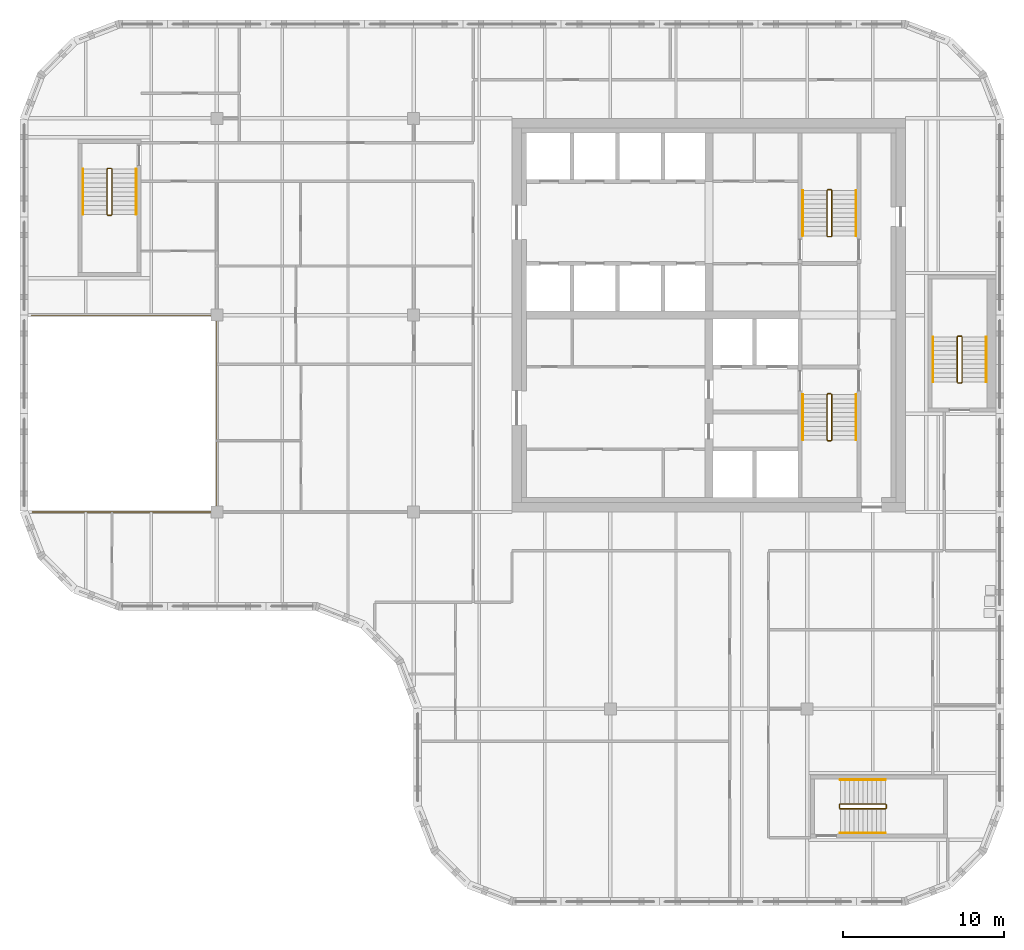
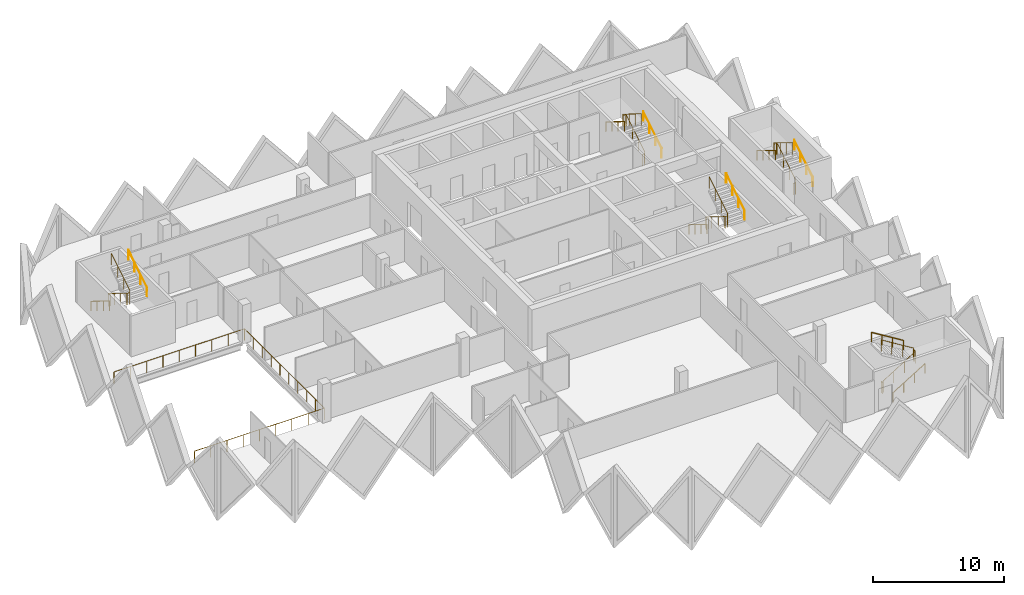
# One storey, part 11 of 12: 16 railings.
"""IFC4 building model written with IfcOpenShell, lengths in metres."""

from ifc_helpers import new_model, si_unit, direction, frame, origin, origin_2d, place, context, subcontext, project, spatial, circle, extrude, material, type_object, element, save


model = new_model("IFC4")

# Units and contexts
model_context = context("Model", 3, precision=1e-05, world=origin(), true_north=direction((0.0, 1.0)))
body_context = subcontext(model_context, "Body", "Model", "MODEL_VIEW")
ifc_project = project(units=[si_unit("LENGTHUNIT", "METRE"), si_unit("AREAUNIT", "SQUARE_METRE"), si_unit("VOLUMEUNIT", "CUBIC_METRE"), si_unit("PLANEANGLEUNIT", "RADIAN"), si_unit("MASSUNIT", "GRAM", prefix="KILO")], contexts=[model_context])

# Site, building, storey
site_placement = place(None, origin())
site = spatial("IfcSite", under=ifc_project, at=site_placement, CompositionType="ELEMENT")
building_placement = place(site_placement, origin())
building = spatial("IfcBuilding", under=site, at=building_placement, Name="Tessera Gate Towers", CompositionType="ELEMENT")
storey_placement = place(building_placement, frame((0.0, 0.0, 178.199951171875)))
storey = spatial("IfcBuildingStorey", under=building, at=storey_placement, Name="L44", CompositionType="ELEMENT", Elevation=178.199951171875)

# Railings
ifc_material_1 = material(Name="Toughened glass with stainless steel handrail", Category="steel")
railing_type_1 = type_object("IfcRailingType", Name="GUARD 1100 GLASS BALUSTRADE", PredefinedType="GUARDRAIL", material=ifc_material_1)
railing_1_placement = place(storey_placement, frame((0.750244140625, 24.39990234375, 0.0)))
element("IfcRailing", 1, at=railing_1_placement, inside=storey, type_object=railing_type_1, Name="Guard", PredefinedType="GUARDRAIL", context=body_context, shape_type="SweptSolid", body=[
    extrude(circle(Radius=0.02490234375, at=origin_2d()), frame((0.0, 0.0, 1.0751953125), z_axis=(1.0, 0.0, 0.0), x_axis=(0.0, 1.0, 0.0)), (0.0, 0.0, 1.0), 11.44970703125),
    extrude(circle(Radius=0.02490234375, at=origin_2d()), frame((11.44970703125, 0.0, 1.0751953125), z_axis=(0.0, 1.0, 0.0), x_axis=(-1.0, 0.0, 0.0)), (0.0, 0.0, 1.0), 12.2001953125),
    extrude(circle(Radius=0.02490234375, at=origin_2d()), frame((11.44970703125, 12.2001953125, 1.0751953125), z_axis=(-1.0, 0.0, 0.0), x_axis=(0.0, -1.0, 0.0)), (0.0, 0.0, 1.0), 11.5),
    extrude(circle(Radius=0.02490234375, at=origin_2d()), origin(), (0.0, 0.0, 1.0), 1.050048828125),
    extrude(circle(Radius=0.02490234375, at=origin_2d()), frame((1.43115234375, 0.0, 0.0)), (0.0, 0.0, 1.0), 1.050048828125),
    extrude(circle(Radius=0.02490234375, at=origin_2d()), frame((2.8623046875, 0.0, 0.0)), (0.0, 0.0, 1.0), 1.050048828125),
    extrude(circle(Radius=0.02490234375, at=origin_2d()), frame((4.293701171875, 0.0, 0.0)), (0.0, 0.0, 1.0), 1.050048828125),
    extrude(circle(Radius=0.02490234375, at=origin_2d()), frame((5.724853515625, 0.0, 0.0)), (0.0, 0.0, 1.0), 1.050048828125),
    extrude(circle(Radius=0.02490234375, at=origin_2d()), frame((7.156005859375, 0.0, 0.0)), (0.0, 0.0, 1.0), 1.050048828125),
    extrude(circle(Radius=0.02490234375, at=origin_2d()), frame((8.58740234375, 0.0, 0.0)), (0.0, 0.0, 1.0), 1.050048828125),
    extrude(circle(Radius=0.02490234375, at=origin_2d()), frame((10.0185546875, 0.0, 0.0)), (0.0, 0.0, 1.0), 1.050048828125),
    extrude(circle(Radius=0.02490234375, at=origin_2d()), frame((11.44970703125, 0.0, 0.0)), (0.0, 0.0, 1.0), 1.050048828125),
    extrude(circle(Radius=0.02490234375, at=origin_2d()), frame((11.44970703125, 1.35546875, 0.0)), (0.0, 0.0, 1.0), 1.050048828125),
    extrude(circle(Radius=0.02490234375, at=origin_2d()), frame((11.44970703125, 2.711181640625, 0.0)), (0.0, 0.0, 1.0), 1.050048828125),
    extrude(circle(Radius=0.02490234375, at=origin_2d()), frame((11.44970703125, 4.066650390625, 0.0)), (0.0, 0.0, 1.0), 1.050048828125),
    extrude(circle(Radius=0.02490234375, at=origin_2d()), frame((11.44970703125, 5.42236328125, 0.0)), (0.0, 0.0, 1.0), 1.050048828125),
    extrude(circle(Radius=0.02490234375, at=origin_2d()), frame((11.44970703125, 6.77783203125, 0.0)), (0.0, 0.0, 1.0), 1.050048828125),
    extrude(circle(Radius=0.02490234375, at=origin_2d()), frame((11.44970703125, 8.133544921875, 0.0)), (0.0, 0.0, 1.0), 1.050048828125),
    extrude(circle(Radius=0.02490234375, at=origin_2d()), frame((11.44970703125, 9.489013671875, 0.0)), (0.0, 0.0, 1.0), 1.050048828125),
    extrude(circle(Radius=0.02490234375, at=origin_2d()), frame((11.44970703125, 10.8447265625, 0.0)), (0.0, 0.0, 1.0), 1.050048828125),
    extrude(circle(Radius=0.02490234375, at=origin_2d()), frame((11.44970703125, 12.2001953125, 0.0)), (0.0, 0.0, 1.0), 1.050048828125),
    extrude(circle(Radius=0.02490234375, at=origin_2d()), frame((10.01220703125, 12.2001953125, 0.0)), (0.0, 0.0, 1.0), 1.050048828125),
    extrude(circle(Radius=0.02490234375, at=origin_2d()), frame((8.57470703125, 12.2001953125, 0.0)), (0.0, 0.0, 1.0), 1.050048828125),
    extrude(circle(Radius=0.02490234375, at=origin_2d()), frame((7.13720703125, 12.2001953125, 0.0)), (0.0, 0.0, 1.0), 1.050048828125),
    extrude(circle(Radius=0.02490234375, at=origin_2d()), frame((5.69970703125, 12.2001953125, 0.0)), (0.0, 0.0, 1.0), 1.050048828125),
    extrude(circle(Radius=0.02490234375, at=origin_2d()), frame((4.26220703125, 12.2001953125, 0.0)), (0.0, 0.0, 1.0), 1.050048828125),
    extrude(circle(Radius=0.02490234375, at=origin_2d()), frame((2.82470703125, 12.2001953125, 0.0)), (0.0, 0.0, 1.0), 1.050048828125),
    extrude(circle(Radius=0.02490234375, at=origin_2d()), frame((1.38720703125, 12.2001953125, 0.0)), (0.0, 0.0, 1.0), 1.050048828125),
    extrude(circle(Radius=0.02490234375, at=origin_2d()), frame((-0.05029296875, 12.2001953125, 0.0)), (0.0, 0.0, 1.0), 1.050048828125),
])
ifc_material_2 = material(Name="Steel 350W", Category="steel")
railing_type_2 = type_object("IfcRailingType", Name="STAIR GUARD 1100", PredefinedType="GUARDRAIL", material=ifc_material_2)
railing_2_placement = place(storey_placement, frame((50.27490234375, 31.72509765625, 0.0)))
element("IfcRailing", 2, at=railing_2_placement, inside=storey, type_object=railing_type_2, Name="L44 ST1 stair guard 1", PredefinedType="GUARDRAIL", context=body_context, shape_type="SweptSolid", body=[
    extrude(circle(Radius=0.02392578125, at=origin_2d()), frame((0.0, 0.0, 1.076171875), z_axis=(-1.0, 0.0, 0.0), x_axis=(0.0, -1.0, 0.0)), (0.0, 0.0, 1.0), 0.199951171875),
    extrude(circle(Radius=0.02392578125, at=origin_2d()), frame((-0.199951171875, 0.0, 1.076171875), z_axis=(-0.267953482034, -0.267953482034, 0.925419830635), x_axis=(0.707106781187, -0.707106781187, 0.0)), (0.0, 0.0, 1.0), 0.186767578125),
    extrude(circle(Radius=0.02392578125, at=origin_2d()), frame((-0.25, -0.050048828125, 1.2490234375), z_axis=(0.0, -0.851089632645, 0.525020415988), x_axis=(1.0, 0.0, 0.0)), (0.0, 0.0, 1.0), 3.2900390625),
    extrude(circle(Radius=0.02392578125, at=origin_2d()), frame((-0.25, -2.85009765625, 2.97607421875), z_axis=(0.707106781187, -0.707106781187, 0.0), x_axis=(0.707106781187, 0.707106781187, 0.0)), (0.0, 0.0, 1.0), 0.07080078125),
    extrude(circle(Radius=0.02392578125, at=origin_2d()), frame((-0.199951171875, -2.900146484375, 2.97607421875), z_axis=(1.0, 0.0, 0.0), x_axis=(0.0, 1.0, 0.0)), (0.0, 0.0, 1.0), 0.199951171875),
    extrude(circle(Radius=0.02392578125, at=origin_2d()), frame((0.0, -2.900146484375, 2.97607421875), z_axis=(0.268277960024, 0.268277960024, 0.925231793839), x_axis=(-0.707106781187, 0.707106781187, 0.0)), (0.0, 0.0, 1.0), 0.1865234375),
    extrude(circle(Radius=0.02392578125, at=origin_2d()), frame((0.050048828125, -2.85009765625, 3.14892578125), z_axis=(0.0, 0.851089632645, 0.525020415988), x_axis=(-1.0, 0.0, 0.0)), (0.0, 0.0, 1.0), 3.2900390625),
    extrude(circle(Radius=0.02099609375, at=origin_2d()), origin(), (0.0, 0.0, 1.0), 1.052001953125),
    extrude(circle(Radius=0.02099609375, at=origin_2d()), frame((-0.199951171875, 0.0, 0.0)), (0.0, 0.0, 1.0), 1.052001953125),
    extrude(circle(Radius=0.02099609375, at=origin_2d()), frame((-0.25, -0.050048828125, 0.1728515625)), (0.0, 0.0, 1.0), 1.052001953125),
    extrude(circle(Radius=0.02099609375, at=origin_2d()), frame((-0.25, -0.9833984375, 0.74853515625)), (0.0, 0.0, 1.0), 1.052001953125),
    extrude(circle(Radius=0.02099609375, at=origin_2d()), frame((-0.25, -1.916748046875, 1.324462890625)), (0.0, 0.0, 1.0), 1.052001953125),
    extrude(circle(Radius=0.02099609375, at=origin_2d()), frame((-0.25, -2.85009765625, 1.900146484375)), (0.0, 0.0, 1.0), 1.052001953125),
    extrude(circle(Radius=0.02099609375, at=origin_2d()), frame((-0.199951171875, -2.900146484375, 1.900146484375)), (0.0, 0.0, 1.0), 1.052001953125),
    extrude(circle(Radius=0.02099609375, at=origin_2d()), frame((0.0, -2.900146484375, 1.900146484375)), (0.0, 0.0, 1.0), 1.052001953125),
    extrude(circle(Radius=0.02099609375, at=origin_2d()), frame((0.050048828125, -2.85009765625, 2.07275390625)), (0.0, 0.0, 1.0), 1.052001953125),
    extrude(circle(Radius=0.02099609375, at=origin_2d()), frame((0.050048828125, -1.916748046875, 2.6484375)), (0.0, 0.0, 1.0), 1.052001953125),
    extrude(circle(Radius=0.02099609375, at=origin_2d()), frame((0.050048828125, -0.9833984375, 3.224365234375)), (0.0, 0.0, 1.0), 1.052001953125),
    extrude(circle(Radius=0.02099609375, at=origin_2d()), frame((0.050048828125, -0.050048828125, 3.800048828125)), (0.0, 0.0, 1.0), 1.052001953125),
])
railing_3_placement = place(storey_placement, frame((50.074951171875, 41.47509765625, 0.0)))
element("IfcRailing", 3, at=railing_3_placement, inside=storey, type_object=railing_type_2, Name="L44 ST2 stair guard 1", PredefinedType="GUARDRAIL", context=body_context, shape_type="SweptSolid", body=[
    extrude(circle(Radius=0.02392578125, at=origin_2d()), frame((0.0, 0.0, 1.076171875), z_axis=(1.0, 0.0, 0.0), x_axis=(0.0, 1.0, 0.0)), (0.0, 0.0, 1.0), 0.199951171875),
    extrude(circle(Radius=0.02392578125, at=origin_2d()), frame((0.199951171875, 0.0, 1.076171875), z_axis=(0.268047150085, 0.266739603011, 0.925743328097), x_axis=(-0.705375805398, 0.708833529934, 0.0)), (0.0, 0.0, 1.0), 0.186767578125),
    extrude(circle(Radius=0.02392578125, at=origin_2d()), frame((0.25, 0.0498046875, 1.2490234375), z_axis=(0.0, 0.851089632645, 0.525020415988), x_axis=(-1.0, 0.0, 0.0)), (0.0, 0.0, 1.0), 3.2900390625),
    extrude(circle(Radius=0.02392578125, at=origin_2d()), frame((0.25, 2.849853515625, 2.97607421875), z_axis=(-0.707106781187, 0.707106781187, 0.0), x_axis=(-0.707106781187, -0.707106781187, 0.0)), (0.0, 0.0, 1.0), 0.07080078125),
    extrude(circle(Radius=0.02392578125, at=origin_2d()), frame((0.199951171875, 2.89990234375, 2.97607421875), z_axis=(-1.0, 0.0, 0.0), x_axis=(0.0, -1.0, 0.0)), (0.0, 0.0, 1.0), 0.199951171875),
    extrude(circle(Radius=0.02392578125, at=origin_2d()), frame((0.0, 2.89990234375, 2.97607421875), z_axis=(-0.268277960024, -0.268277960024, 0.925231793839), x_axis=(0.707106781187, -0.707106781187, 0.0)), (0.0, 0.0, 1.0), 0.1865234375),
    extrude(circle(Radius=0.02392578125, at=origin_2d()), frame((-0.050048828125, 2.849853515625, 3.14892578125), z_axis=(0.0, -0.851089632645, 0.525020415988), x_axis=(1.0, 0.0, 0.0)), (0.0, 0.0, 1.0), 3.2900390625),
    extrude(circle(Radius=0.02099609375, at=origin_2d()), origin(), (0.0, 0.0, 1.0), 1.052001953125),
    extrude(circle(Radius=0.02099609375, at=origin_2d()), frame((0.199951171875, 0.0, 0.0)), (0.0, 0.0, 1.0), 1.052001953125),
    extrude(circle(Radius=0.02099609375, at=origin_2d()), frame((0.25, 0.0498046875, 0.1728515625)), (0.0, 0.0, 1.0), 1.052001953125),
    extrude(circle(Radius=0.02099609375, at=origin_2d()), frame((0.25, 0.983154296875, 0.74853515625)), (0.0, 0.0, 1.0), 1.052001953125),
    extrude(circle(Radius=0.02099609375, at=origin_2d()), frame((0.25, 1.91650390625, 1.324462890625)), (0.0, 0.0, 1.0), 1.052001953125),
    extrude(circle(Radius=0.02099609375, at=origin_2d()), frame((0.25, 2.849853515625, 1.900146484375)), (0.0, 0.0, 1.0), 1.052001953125),
    extrude(circle(Radius=0.02099609375, at=origin_2d()), frame((0.199951171875, 2.89990234375, 1.900146484375)), (0.0, 0.0, 1.0), 1.052001953125),
    extrude(circle(Radius=0.02099609375, at=origin_2d()), frame((0.0, 2.89990234375, 1.900146484375)), (0.0, 0.0, 1.0), 1.052001953125),
    extrude(circle(Radius=0.02099609375, at=origin_2d()), frame((-0.050048828125, 2.849853515625, 2.07275390625)), (0.0, 0.0, 1.0), 1.052001953125),
    extrude(circle(Radius=0.02099609375, at=origin_2d()), frame((-0.050048828125, 1.91650390625, 2.6484375)), (0.0, 0.0, 1.0), 1.052001953125),
    extrude(circle(Radius=0.02099609375, at=origin_2d()), frame((-0.050048828125, 0.983154296875, 3.224365234375)), (0.0, 0.0, 1.0), 1.052001953125),
    extrude(circle(Radius=0.02099609375, at=origin_2d()), frame((-0.050048828125, 0.0498046875, 3.800048828125)), (0.0, 0.0, 1.0), 1.052001953125),
])
railing_4_placement = place(storey_placement, frame((5.64990234375, 45.699951171875, 0.0)))
element("IfcRailing", 4, at=railing_4_placement, inside=storey, type_object=railing_type_2, Name="L44 ST3 stair guard 1", PredefinedType="GUARDRAIL", context=body_context, shape_type="SweptSolid", body=[
    extrude(circle(Radius=0.02392578125, at=origin_2d()), frame((0.0, 0.0, 1.076171875), z_axis=(-1.0, 0.0, 0.0), x_axis=(0.0, -1.0, 0.0)), (0.0, 0.0, 1.0), 0.199951171875),
    extrude(circle(Radius=0.02392578125, at=origin_2d()), frame((-0.199951171875, 0.0, 1.076171875), z_axis=(-0.267953482034, -0.267953482034, 0.925419830635), x_axis=(0.707106781187, -0.707106781187, 0.0)), (0.0, 0.0, 1.0), 0.186767578125),
    extrude(circle(Radius=0.02392578125, at=origin_2d()), frame((-0.25, -0.050048828125, 1.2490234375), z_axis=(0.0, -0.851069175582, 0.525053576669), x_axis=(1.0, 0.0, 0.0)), (0.0, 0.0, 1.0), 3.289794921875),
    extrude(circle(Radius=0.02392578125, at=origin_2d()), frame((-0.25, -2.849853515625, 2.97607421875), z_axis=(0.707106781187, -0.707106781187, 0.0), x_axis=(0.707106781187, 0.707106781187, 0.0)), (0.0, 0.0, 1.0), 0.07080078125),
    extrude(circle(Radius=0.02392578125, at=origin_2d()), frame((-0.199951171875, -2.89990234375, 2.97607421875), z_axis=(1.0, 0.0, 0.0), x_axis=(0.0, 1.0, 0.0)), (0.0, 0.0, 1.0), 0.199951171875),
    extrude(circle(Radius=0.02392578125, at=origin_2d()), frame((0.0, -2.89990234375, 2.97607421875), z_axis=(0.268277960024, 0.268277960024, 0.925231793839), x_axis=(-0.707106781187, 0.707106781187, 0.0)), (0.0, 0.0, 1.0), 0.1865234375),
    extrude(circle(Radius=0.02392578125, at=origin_2d()), frame((0.050048828125, -2.849853515625, 3.14892578125), z_axis=(0.0, 0.851069175582, 0.525053576669), x_axis=(-1.0, 0.0, 0.0)), (0.0, 0.0, 1.0), 3.289794921875),
    extrude(circle(Radius=0.02099609375, at=origin_2d()), origin(), (0.0, 0.0, 1.0), 1.052001953125),
    extrude(circle(Radius=0.02099609375, at=origin_2d()), frame((-0.199951171875, 0.0, 0.0)), (0.0, 0.0, 1.0), 1.052001953125),
    extrude(circle(Radius=0.02099609375, at=origin_2d()), frame((-0.25, -0.050048828125, 0.1728515625)), (0.0, 0.0, 1.0), 1.052001953125),
    extrude(circle(Radius=0.02099609375, at=origin_2d()), frame((-0.25, -0.9833984375, 0.74853515625)), (0.0, 0.0, 1.0), 1.052001953125),
    extrude(circle(Radius=0.02099609375, at=origin_2d()), frame((-0.25, -1.91650390625, 1.324462890625)), (0.0, 0.0, 1.0), 1.052001953125),
    extrude(circle(Radius=0.02099609375, at=origin_2d()), frame((-0.25, -2.849853515625, 1.900146484375)), (0.0, 0.0, 1.0), 1.052001953125),
    extrude(circle(Radius=0.02099609375, at=origin_2d()), frame((-0.199951171875, -2.89990234375, 1.900146484375)), (0.0, 0.0, 1.0), 1.052001953125),
    extrude(circle(Radius=0.02099609375, at=origin_2d()), frame((0.0, -2.89990234375, 1.900146484375)), (0.0, 0.0, 1.0), 1.052001953125),
    extrude(circle(Radius=0.02099609375, at=origin_2d()), frame((0.050048828125, -2.849853515625, 2.07275390625)), (0.0, 0.0, 1.0), 1.052001953125),
    extrude(circle(Radius=0.02099609375, at=origin_2d()), frame((0.050048828125, -1.91650390625, 2.6484375)), (0.0, 0.0, 1.0), 1.052001953125),
    extrude(circle(Radius=0.02099609375, at=origin_2d()), frame((0.050048828125, -0.9833984375, 3.224365234375)), (0.0, 0.0, 1.0), 1.052001953125),
    extrude(circle(Radius=0.02099609375, at=origin_2d()), frame((0.050048828125, -0.050048828125, 3.800048828125)), (0.0, 0.0, 1.0), 1.052001953125),
])
railing_5_placement = place(storey_placement, frame((50.800048828125, 6.25, 0.0)))
element("IfcRailing", 5, at=railing_5_placement, inside=storey, type_object=railing_type_2, Name="L44 ST4 stair guard 1", PredefinedType="GUARDRAIL", context=body_context, shape_type="SweptSolid", body=[
    extrude(circle(Radius=0.02392578125, at=origin_2d()), frame((0.0, 0.0, 1.076171875), z_axis=(0.0, -1.0, 0.0), x_axis=(1.0, 0.0, 0.0)), (0.0, 0.0, 1.0), 0.199951171875),
    extrude(circle(Radius=0.02392578125, at=origin_2d()), frame((0.0, -0.199951171875, 1.076171875), z_axis=(0.267953482034, -0.267953482034, 0.925419830635), x_axis=(0.707106781187, 0.707106781187, 0.0)), (0.0, 0.0, 1.0), 0.186767578125),
    extrude(circle(Radius=0.02392578125, at=origin_2d()), frame((0.050048828125, -0.25, 1.2490234375), z_axis=(0.851069175582, 0.0, 0.525053576669), x_axis=(0.0, 1.0, 0.0)), (0.0, 0.0, 1.0), 3.289794921875),
    extrude(circle(Radius=0.02392578125, at=origin_2d()), frame((2.849853515625, -0.25, 2.97607421875), z_axis=(0.707106781187, 0.707106781187, 0.0), x_axis=(-0.707106781187, 0.707106781187, 0.0)), (0.0, 0.0, 1.0), 0.07080078125),
    extrude(circle(Radius=0.02392578125, at=origin_2d()), frame((2.89990234375, -0.199951171875, 2.97607421875), z_axis=(0.0, 1.0, 0.0), x_axis=(-1.0, 0.0, 0.0)), (0.0, 0.0, 1.0), 0.199951171875),
    extrude(circle(Radius=0.02392578125, at=origin_2d()), frame((2.89990234375, 0.0, 2.97607421875), z_axis=(-0.268277960024, 0.268277960024, 0.925231793839), x_axis=(-0.707106781187, -0.707106781187, 0.0)), (0.0, 0.0, 1.0), 0.1865234375),
    extrude(circle(Radius=0.02392578125, at=origin_2d()), frame((2.849853515625, 0.050048828125, 3.14892578125), z_axis=(-0.851069175582, 0.0, 0.525053576669), x_axis=(0.0, -1.0, 0.0)), (0.0, 0.0, 1.0), 3.289794921875),
    extrude(circle(Radius=0.02099609375, at=origin_2d()), origin(), (0.0, 0.0, 1.0), 1.052001953125),
    extrude(circle(Radius=0.02099609375, at=origin_2d()), frame((0.0, -0.199951171875, 0.0)), (0.0, 0.0, 1.0), 1.052001953125),
    extrude(circle(Radius=0.02099609375, at=origin_2d()), frame((0.050048828125, -0.25, 0.1728515625)), (0.0, 0.0, 1.0), 1.052001953125),
    extrude(circle(Radius=0.02099609375, at=origin_2d()), frame((0.9833984375, -0.25, 0.74853515625)), (0.0, 0.0, 1.0), 1.052001953125),
    extrude(circle(Radius=0.02099609375, at=origin_2d()), frame((1.91650390625, -0.25, 1.324462890625)), (0.0, 0.0, 1.0), 1.052001953125),
    extrude(circle(Radius=0.02099609375, at=origin_2d()), frame((2.849853515625, -0.25, 1.900146484375)), (0.0, 0.0, 1.0), 1.052001953125),
    extrude(circle(Radius=0.02099609375, at=origin_2d()), frame((2.89990234375, -0.199951171875, 1.900146484375)), (0.0, 0.0, 1.0), 1.052001953125),
    extrude(circle(Radius=0.02099609375, at=origin_2d()), frame((2.89990234375, 0.0, 1.900146484375)), (0.0, 0.0, 1.0), 1.052001953125),
    extrude(circle(Radius=0.02099609375, at=origin_2d()), frame((2.849853515625, 0.050048828125, 2.07275390625)), (0.0, 0.0, 1.0), 1.052001953125),
    extrude(circle(Radius=0.02099609375, at=origin_2d()), frame((1.91650390625, 0.050048828125, 2.6484375)), (0.0, 0.0, 1.0), 1.052001953125),
    extrude(circle(Radius=0.02099609375, at=origin_2d()), frame((0.9833984375, 0.050048828125, 3.224365234375)), (0.0, 0.0, 1.0), 1.052001953125),
    extrude(circle(Radius=0.02099609375, at=origin_2d()), frame((0.050048828125, 0.050048828125, 3.800048828125)), (0.0, 0.0, 1.0), 1.052001953125),
])
railing_6_placement = place(storey_placement, frame((58.14990234375, 32.39990234375, 0.0)))
element("IfcRailing", 6, at=railing_6_placement, inside=storey, type_object=railing_type_2, Name="L44 ST5 stair guard 1", PredefinedType="GUARDRAIL", context=body_context, shape_type="SweptSolid", body=[
    extrude(circle(Radius=0.02392578125, at=origin_2d()), frame((0.0, 0.0, 1.076171875), z_axis=(1.0, 0.0, 0.0), x_axis=(0.0, 1.0, 0.0)), (0.0, 0.0, 1.0), 0.2001953125),
    extrude(circle(Radius=0.02392578125, at=origin_2d()), frame((0.2001953125, 0.0, 1.076171875), z_axis=(0.266739603011, 0.268047150085, 0.925743328097), x_axis=(-0.708833529934, 0.705375805398, 0.0)), (0.0, 0.0, 1.0), 0.186767578125),
    extrude(circle(Radius=0.02392578125, at=origin_2d()), frame((0.25, 0.050048828125, 1.2490234375), z_axis=(0.0, 0.851089632645, 0.525020415988), x_axis=(-1.0, 0.0, 0.0)), (0.0, 0.0, 1.0), 3.2900390625),
    extrude(circle(Radius=0.02392578125, at=origin_2d()), frame((0.25, 2.85009765625, 2.97607421875), z_axis=(-0.705375805398, 0.708833529934, 0.0), x_axis=(-0.708833529934, -0.705375805398, 0.0)), (0.0, 0.0, 1.0), 0.070556640625),
    extrude(circle(Radius=0.02392578125, at=origin_2d()), frame((0.2001953125, 2.900146484375, 2.97607421875), z_axis=(-1.0, 0.0, 0.0), x_axis=(0.0, -1.0, 0.0)), (0.0, 0.0, 1.0), 0.2001953125),
    extrude(circle(Radius=0.02392578125, at=origin_2d()), frame((0.0, 2.900146484375, 2.97607421875), z_axis=(-0.267062837333, -0.268371968888, 0.925556009775), x_axis=(0.708833529934, -0.705375805398, 0.0)), (0.0, 0.0, 1.0), 0.1865234375),
    extrude(circle(Radius=0.02392578125, at=origin_2d()), frame((-0.0498046875, 2.85009765625, 3.14892578125), z_axis=(0.0, -0.851089632645, 0.525020415988), x_axis=(1.0, 0.0, 0.0)), (0.0, 0.0, 1.0), 3.2900390625),
    extrude(circle(Radius=0.02099609375, at=origin_2d()), origin(), (0.0, 0.0, 1.0), 1.052001953125),
    extrude(circle(Radius=0.02099609375, at=origin_2d()), frame((0.2001953125, 0.0, 0.0)), (0.0, 0.0, 1.0), 1.052001953125),
    extrude(circle(Radius=0.02099609375, at=origin_2d()), frame((0.25, 0.050048828125, 0.1728515625)), (0.0, 0.0, 1.0), 1.052001953125),
    extrude(circle(Radius=0.02099609375, at=origin_2d()), frame((0.25, 0.9833984375, 0.74853515625)), (0.0, 0.0, 1.0), 1.052001953125),
    extrude(circle(Radius=0.02099609375, at=origin_2d()), frame((0.25, 1.916748046875, 1.324462890625)), (0.0, 0.0, 1.0), 1.052001953125),
    extrude(circle(Radius=0.02099609375, at=origin_2d()), frame((0.25, 2.85009765625, 1.900146484375)), (0.0, 0.0, 1.0), 1.052001953125),
    extrude(circle(Radius=0.02099609375, at=origin_2d()), frame((0.2001953125, 2.900146484375, 1.900146484375)), (0.0, 0.0, 1.0), 1.052001953125),
    extrude(circle(Radius=0.02099609375, at=origin_2d()), frame((0.0, 2.900146484375, 1.900146484375)), (0.0, 0.0, 1.0), 1.052001953125),
    extrude(circle(Radius=0.02099609375, at=origin_2d()), frame((-0.0498046875, 2.85009765625, 2.07275390625)), (0.0, 0.0, 1.0), 1.052001953125),
    extrude(circle(Radius=0.02099609375, at=origin_2d()), frame((-0.0498046875, 1.916748046875, 2.6484375)), (0.0, 0.0, 1.0), 1.052001953125),
    extrude(circle(Radius=0.02099609375, at=origin_2d()), frame((-0.0498046875, 0.9833984375, 3.224365234375)), (0.0, 0.0, 1.0), 1.052001953125),
    extrude(circle(Radius=0.02099609375, at=origin_2d()), frame((-0.0498046875, 0.050048828125, 3.800048828125)), (0.0, 0.0, 1.0), 1.052001953125),
])
ifc_material_3 = material(Name="Steel 350W", Category="steel")
railing_type_3 = type_object("IfcRailingType", Name="STAIR HANDRAIL 900", PredefinedType="HANDRAIL", material=ifc_material_3)
railing_7_placement = place(storey_placement, frame((48.52490234375, 31.675048828125, 0.1728515625)))
element("IfcRailing", 7, at=railing_7_placement, inside=storey, type_object=railing_type_3, Name="L44 ST1 stair handrail 1", PredefinedType="HANDRAIL", context=body_context, shape_type="SweptSolid", body=[
    extrude(circle(Radius=0.02392578125, at=origin_2d()), frame((0.0, 0.0, 0.8759765625), z_axis=(0.0, -0.851089632645, 0.525020415988), x_axis=(1.0, 0.0, 0.0)), (0.0, 0.0, 1.0), 3.2900390625),
    extrude(circle(Radius=0.02099609375, at=origin_2d()), origin(), (0.0, 0.0, 1.0), 0.851806640625),
    extrude(circle(Radius=0.02099609375, at=origin_2d()), frame((0.0, -0.933349609375, 0.57568359375)), (0.0, 0.0, 1.0), 0.851806640625),
    extrude(circle(Radius=0.02099609375, at=origin_2d()), frame((0.0, -1.86669921875, 1.151611328125)), (0.0, 0.0, 1.0), 0.851806640625),
    extrude(circle(Radius=0.02099609375, at=origin_2d()), frame((0.0, -2.800048828125, 1.727294921875)), (0.0, 0.0, 1.0), 0.851806640625),
])
for number, where, name in (
    (8, (51.824951171875, 28.875, 2.07275390625), "L44 ST1 stair handrail 2"),
    (9, (51.824951171875, 41.52490234375, 0.1728515625), "L44 ST2 stair handrail 1"),
):
    element("IfcRailing", number, at=place(storey_placement, frame(where)), inside=storey, type_object=railing_type_3, Name=name, PredefinedType="HANDRAIL", context=body_context, shape_type="SweptSolid", body=[
        extrude(circle(Radius=0.02392578125, at=origin_2d()), frame((0.0, 0.0, 0.8759765625), z_axis=(0.0, 0.851089632645, 0.525020415988), x_axis=(-1.0, 0.0, 0.0)), (0.0, 0.0, 1.0), 3.2900390625),
        extrude(circle(Radius=0.02099609375, at=origin_2d()), origin(), (0.0, 0.0, 1.0), 0.851806640625),
        extrude(circle(Radius=0.02099609375, at=origin_2d()), frame((0.0, 0.933349609375, 0.57568359375)), (0.0, 0.0, 1.0), 0.851806640625),
        extrude(circle(Radius=0.02099609375, at=origin_2d()), frame((0.0, 1.86669921875, 1.151611328125)), (0.0, 0.0, 1.0), 0.851806640625),
        extrude(circle(Radius=0.02099609375, at=origin_2d()), frame((0.0, 2.800048828125, 1.727294921875)), (0.0, 0.0, 1.0), 0.851806640625),
    ])
railing_8_placement = place(storey_placement, frame((48.52490234375, 44.324951171875, 2.07275390625)))
element("IfcRailing", 10, at=railing_8_placement, inside=storey, type_object=railing_type_3, Name="L44 ST2 stair handrail 2", PredefinedType="HANDRAIL", context=body_context, shape_type="SweptSolid", body=[
    extrude(circle(Radius=0.02392578125, at=origin_2d()), frame((0.0, 0.0, 0.8759765625), z_axis=(0.0, -0.851089632645, 0.525020415988), x_axis=(1.0, 0.0, 0.0)), (0.0, 0.0, 1.0), 3.2900390625),
    extrude(circle(Radius=0.02099609375, at=origin_2d()), origin(), (0.0, 0.0, 1.0), 0.851806640625),
    extrude(circle(Radius=0.02099609375, at=origin_2d()), frame((0.0, -0.933349609375, 0.57568359375)), (0.0, 0.0, 1.0), 0.851806640625),
    extrude(circle(Radius=0.02099609375, at=origin_2d()), frame((0.0, -1.86669921875, 1.151611328125)), (0.0, 0.0, 1.0), 0.851806640625),
    extrude(circle(Radius=0.02099609375, at=origin_2d()), frame((0.0, -2.800048828125, 1.727294921875)), (0.0, 0.0, 1.0), 0.851806640625),
])
railing_9_placement = place(storey_placement, frame((3.89990234375, 45.64990234375, 0.1728515625)))
element("IfcRailing", 11, at=railing_9_placement, inside=storey, type_object=railing_type_3, Name="L44 ST3 stair handrail 1", PredefinedType="HANDRAIL", context=body_context, shape_type="SweptSolid", body=[
    extrude(circle(Radius=0.02392578125, at=origin_2d()), frame((0.0, 0.0, 0.8759765625), z_axis=(0.0, -0.851069175582, 0.525053576669), x_axis=(1.0, 0.0, 0.0)), (0.0, 0.0, 1.0), 3.289794921875),
    extrude(circle(Radius=0.02099609375, at=origin_2d()), origin(), (0.0, 0.0, 1.0), 0.851806640625),
    extrude(circle(Radius=0.02099609375, at=origin_2d()), frame((0.0, -0.933349609375, 0.57568359375)), (0.0, 0.0, 1.0), 0.851806640625),
    extrude(circle(Radius=0.02099609375, at=origin_2d()), frame((0.0, -1.866455078125, 1.151611328125)), (0.0, 0.0, 1.0), 0.851806640625),
    extrude(circle(Radius=0.02099609375, at=origin_2d()), frame((0.0, -2.7998046875, 1.727294921875)), (0.0, 0.0, 1.0), 0.851806640625),
])
railing_10_placement = place(storey_placement, frame((7.199951171875, 42.85009765625, 2.07275390625)))
element("IfcRailing", 12, at=railing_10_placement, inside=storey, type_object=railing_type_3, Name="L44 ST3 stair handrail 2", PredefinedType="HANDRAIL", context=body_context, shape_type="SweptSolid", body=[
    extrude(circle(Radius=0.02392578125, at=origin_2d()), frame((0.0, 0.0, 0.8759765625), z_axis=(0.0, 0.851069175582, 0.525053576669), x_axis=(-1.0, 0.0, 0.0)), (0.0, 0.0, 1.0), 3.289794921875),
    extrude(circle(Radius=0.02099609375, at=origin_2d()), origin(), (0.0, 0.0, 1.0), 0.851806640625),
    extrude(circle(Radius=0.02099609375, at=origin_2d()), frame((0.0, 0.933349609375, 0.57568359375)), (0.0, 0.0, 1.0), 0.851806640625),
    extrude(circle(Radius=0.02099609375, at=origin_2d()), frame((0.0, 1.866455078125, 1.151611328125)), (0.0, 0.0, 1.0), 0.851806640625),
    extrude(circle(Radius=0.02099609375, at=origin_2d()), frame((0.0, 2.7998046875, 1.727294921875)), (0.0, 0.0, 1.0), 0.851806640625),
])
railing_11_placement = place(storey_placement, frame((50.85009765625, 4.5, 0.1728515625)))
element("IfcRailing", 13, at=railing_11_placement, inside=storey, type_object=railing_type_3, Name="L44 ST4 stair handrail 1", PredefinedType="HANDRAIL", context=body_context, shape_type="SweptSolid", body=[
    extrude(circle(Radius=0.02392578125, at=origin_2d()), frame((0.0, 0.0, 0.8759765625), z_axis=(0.851069175582, 0.0, 0.525053576669), x_axis=(0.0, 1.0, 0.0)), (0.0, 0.0, 1.0), 3.289794921875),
    extrude(circle(Radius=0.02099609375, at=origin_2d()), origin(), (0.0, 0.0, 1.0), 0.851806640625),
    extrude(circle(Radius=0.02099609375, at=origin_2d()), frame((0.933349609375, 0.0, 0.57568359375)), (0.0, 0.0, 1.0), 0.851806640625),
    extrude(circle(Radius=0.02099609375, at=origin_2d()), frame((1.866455078125, 0.0, 1.151611328125)), (0.0, 0.0, 1.0), 0.851806640625),
    extrude(circle(Radius=0.02099609375, at=origin_2d()), frame((2.7998046875, 0.0, 1.727294921875)), (0.0, 0.0, 1.0), 0.851806640625),
])
railing_12_placement = place(storey_placement, frame((53.64990234375, 7.800048828125, 2.07275390625)))
element("IfcRailing", 14, at=railing_12_placement, inside=storey, type_object=railing_type_3, Name="L44 ST4 stair handrail 2", PredefinedType="HANDRAIL", context=body_context, shape_type="SweptSolid", body=[
    extrude(circle(Radius=0.02392578125, at=origin_2d()), frame((0.0, 0.0, 0.8759765625), z_axis=(-0.851069175582, 0.0, 0.525053576669), x_axis=(0.0, -1.0, 0.0)), (0.0, 0.0, 1.0), 3.289794921875),
    extrude(circle(Radius=0.02099609375, at=origin_2d()), origin(), (0.0, 0.0, 1.0), 0.851806640625),
    extrude(circle(Radius=0.02099609375, at=origin_2d()), frame((-0.933349609375, 0.0, 0.57568359375)), (0.0, 0.0, 1.0), 0.851806640625),
    extrude(circle(Radius=0.02099609375, at=origin_2d()), frame((-1.866455078125, 0.0, 1.151611328125)), (0.0, 0.0, 1.0), 0.851806640625),
    extrude(circle(Radius=0.02099609375, at=origin_2d()), frame((-2.7998046875, 0.0, 1.727294921875)), (0.0, 0.0, 1.0), 0.851806640625),
])
railing_13_placement = place(storey_placement, frame((59.89990234375, 32.449951171875, 0.1728515625)))
element("IfcRailing", 15, at=railing_13_placement, inside=storey, type_object=railing_type_3, Name="L44 ST5 stair handrail 1", PredefinedType="HANDRAIL", context=body_context, shape_type="SweptSolid", body=[
    extrude(circle(Radius=0.02392578125, at=origin_2d()), frame((0.0, 0.0, 0.8759765625), z_axis=(0.0, 0.851089632645, 0.525020415988), x_axis=(-1.0, 0.0, 0.0)), (0.0, 0.0, 1.0), 3.2900390625),
    extrude(circle(Radius=0.02099609375, at=origin_2d()), origin(), (0.0, 0.0, 1.0), 0.851806640625),
    extrude(circle(Radius=0.02099609375, at=origin_2d()), frame((0.0, 0.933349609375, 0.57568359375)), (0.0, 0.0, 1.0), 0.851806640625),
    extrude(circle(Radius=0.02099609375, at=origin_2d()), frame((0.0, 1.86669921875, 1.151611328125)), (0.0, 0.0, 1.0), 0.851806640625),
    extrude(circle(Radius=0.02099609375, at=origin_2d()), frame((0.0, 2.800048828125, 1.727294921875)), (0.0, 0.0, 1.0), 0.851806640625),
])
railing_14_placement = place(storey_placement, frame((56.60009765625, 35.25, 2.07275390625)))
element("IfcRailing", 16, at=railing_14_placement, inside=storey, type_object=railing_type_3, Name="L44 ST5 stair handrail 2", PredefinedType="HANDRAIL", context=body_context, shape_type="SweptSolid", body=[
    extrude(circle(Radius=0.02392578125, at=origin_2d()), frame((0.0, 0.0, 0.8759765625), z_axis=(0.0, -0.851089632645, 0.525020415988), x_axis=(1.0, 0.0, 0.0)), (0.0, 0.0, 1.0), 3.2900390625),
    extrude(circle(Radius=0.02099609375, at=origin_2d()), origin(), (0.0, 0.0, 1.0), 0.851806640625),
    extrude(circle(Radius=0.02099609375, at=origin_2d()), frame((0.0, -0.933349609375, 0.57568359375)), (0.0, 0.0, 1.0), 0.851806640625),
    extrude(circle(Radius=0.02099609375, at=origin_2d()), frame((0.0, -1.86669921875, 1.151611328125)), (0.0, 0.0, 1.0), 0.851806640625),
    extrude(circle(Radius=0.02099609375, at=origin_2d()), frame((0.0, -2.800048828125, 1.727294921875)), (0.0, 0.0, 1.0), 0.851806640625),
])

save(model, "model.ifc")
